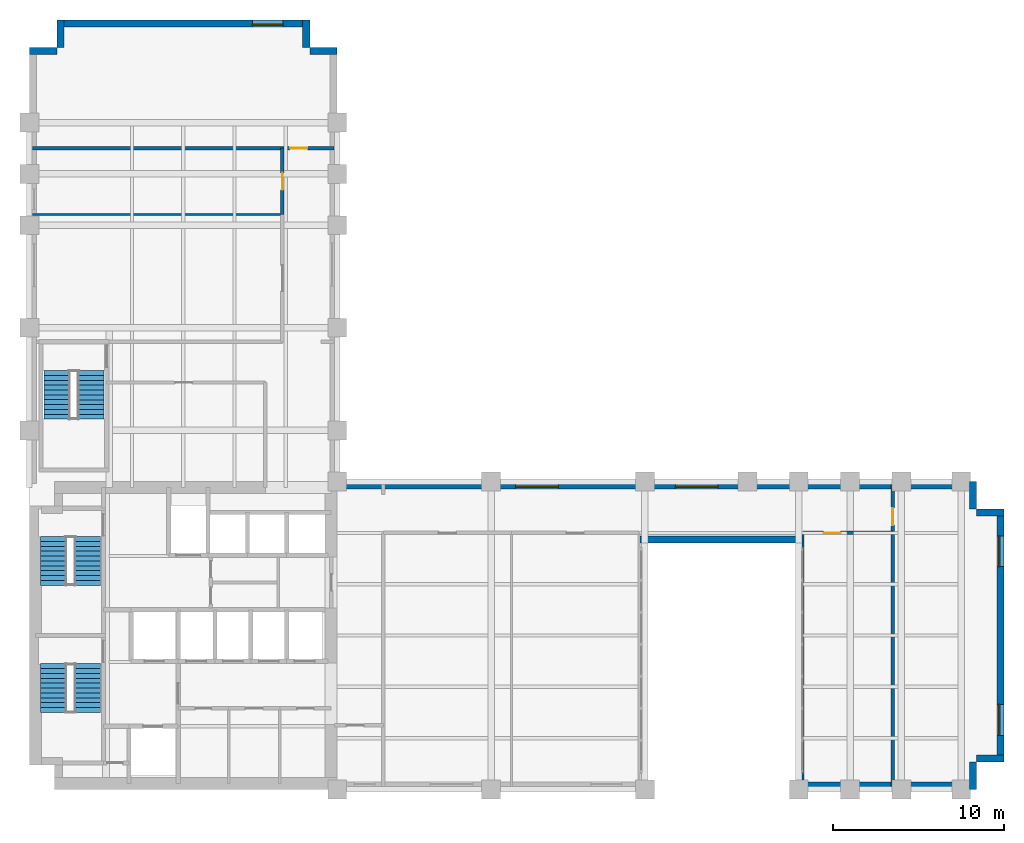
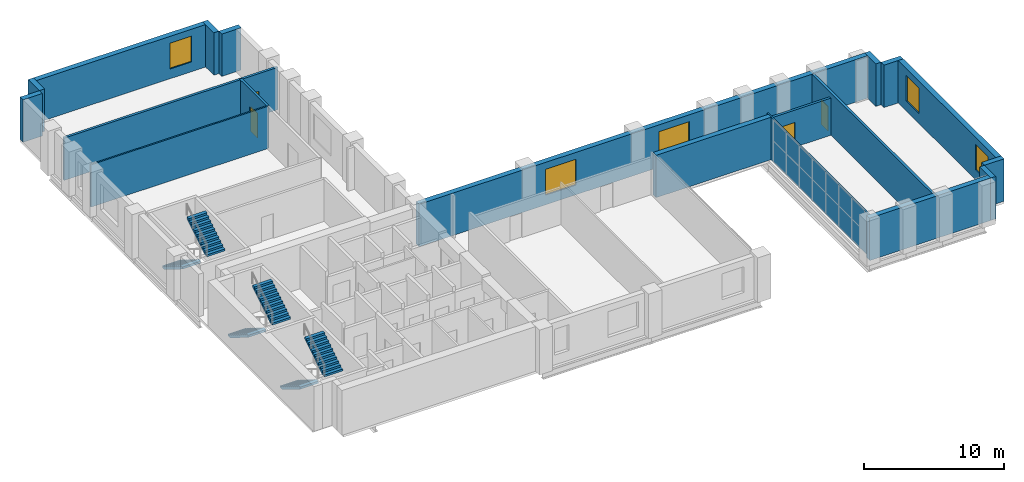
# One storey, part 9 of 10: 19 walls, 6 stair flights, 5 windows, 4 doors, 9 openings, 3 elements without a shape of their own.
"""IFC4 building model written with IfcOpenShell, lengths in metres."""

from ifc_helpers import new_model, si_unit, direction, frame, frame_2d, origin, place, context, subcontext, project, spatial, polyline, rectangle, outline, extrude, material, layer, layer_set, type_object, element, fill, aggregate, save


model = new_model("IFC4")

# Units and contexts
model_context = context("Model", 3, precision=1e-05, world=origin(), true_north=direction((0.0, 1.0)))
body_context = subcontext(model_context, "Body", "Model", "MODEL_VIEW")
ifc_project = project(units=[si_unit("LENGTHUNIT", "METRE"), si_unit("AREAUNIT", "SQUARE_METRE"), si_unit("VOLUMEUNIT", "CUBIC_METRE"), si_unit("PLANEANGLEUNIT", "RADIAN"), si_unit("MASSUNIT", "GRAM", prefix="KILO")], contexts=[model_context])

# Site, building, storey
site_placement = place(None, origin())
site = spatial("IfcSite", under=ifc_project, at=site_placement, CompositionType="ELEMENT")
building_placement = place(site_placement, origin())
building = spatial("IfcBuilding", under=site, at=building_placement, Name="Mawjdan Bourse Tower", CompositionType="ELEMENT")
storey_placement = place(building_placement, frame((0.0, 0.0, 124.5)))
storey = spatial("IfcBuildingStorey", under=building, at=storey_placement, Name="L29", CompositionType="ELEMENT", Elevation=124.5)

# Walls
ifc_material_1 = material(Name="Brick Masonry Buff", Category="masonry")
ifc_layer_1 = layer(ifc_material_1, 0.419921875)
ifc_layer_set_1 = layer_set([ifc_layer_1], Name="Brick Masonry Buff")
wall_type_1 = type_object("IfcWallType", Name="WL-BRK-BUFF-420", PredefinedType="STANDARD", material=ifc_layer_set_1)
wall_1_placement = place(storey_placement, frame((41.699951171875, 17.610107421875, 0.0), z_axis=(0.0, 0.0, 1.0), x_axis=(1.0, 0.0, 0.0)))
element("IfcWall", 1, at=wall_1_placement, inside=storey, type_object=wall_type_1, Name="L29 Exterior Brick Wall 3", PredefinedType="STANDARD", context=body_context, shape_type="SweptSolid", body=[
    extrude(rectangle(XDim=9.5, YDim=0.419921875, at=frame_2d((4.75, 0.0))), origin(), (0.0, 0.0, 1.0), 3.699951171875),
])
wall_2_placement = place(storey_placement, frame((51.0, 3.2099609375, 0.0), z_axis=(0.0, 0.0, 1.0), x_axis=(1.0, 0.0, 0.0)))
element("IfcWall", 2, at=wall_2_placement, inside=storey, type_object=wall_type_1, Name="L29 Exterior Brick Wall 5", PredefinedType="STANDARD", context=body_context, shape_type="SweptSolid", body=[
    extrude(rectangle(XDim=10.39990234375, YDim=0.419921875, at=frame_2d((5.199951171875, 0.0))), origin(), (0.0, 0.0, 1.0), 3.699951171875),
])
for number, where, z_axis, x_axis, name in (
    (3, (61.18994140625, 3.0, 0.0), (0.0, 0.0, 1.0), (0.0, 1.0, 0.0), "L29 Exterior Brick Wall 6"),
    (4, (61.39990234375, 4.81005859375, 0.0), (0.0, 0.0, 1.0), (1.0, 0.0, 0.0), "L29 Exterior Brick Wall 7"),
):
    element("IfcWall", number, at=place(storey_placement, frame(where, z_axis=z_axis, x_axis=x_axis)), inside=storey, type_object=wall_type_1, Name=name, PredefinedType="STANDARD", context=body_context, shape_type="SweptSolid", body=[
        extrude(rectangle(XDim=1.60009765625, YDim=0.419921875, at=frame_2d((0.800048828125, 0.0))), origin(), (0.0, 0.0, 1.0), 3.699951171875),
    ])

# Wall, openings, windows
wall_3_placement = place(storey_placement, frame((62.7900390625, 4.60009765625, 0.0), z_axis=(0.0, 0.0, 1.0), x_axis=(0.0, 1.0, 0.0)))
wall_3 = element("IfcWall", 5, at=wall_3_placement, inside=storey, type_object=wall_type_1, Name="L29 Exterior Brick Wall 8", PredefinedType="STANDARD", context=body_context, shape_type="SweptSolid", body=[
    extrude(rectangle(XDim=14.7998046875, YDim=0.419921875, at=frame_2d((7.39990234375, 0.0))), origin(), (0.0, 0.0, 1.0), 3.699951171875),
])
opening_1_placement = place(wall_3_placement, frame((1.566650390625, 0.0, 0.85009765625)))
opening_1 = element("IfcOpeningElement", 6, at=opening_1_placement, cuts=wall_3, Name="Opening W-L29-03", PredefinedType="OPENING", context=body_context, shape_type="SweptSolid", body=[
    extrude(rectangle(XDim=1.800048828125, YDim=2.25, at=frame_2d((0.89990234375, 1.125))), frame((0.0, 0.219970703125, 0.0), z_axis=(0.0, -1.0, 0.0), x_axis=(1.0, 0.0, 0.0)), (0.0, 0.0, 1.0), 0.43994140625),
])
opening_2_placement = place(wall_3_placement, frame((11.433349609375, 0.0, 0.85009765625)))
opening_2 = element("IfcOpeningElement", 7, at=opening_2_placement, cuts=wall_3, Name="Opening W-L29-04", PredefinedType="OPENING", context=body_context, shape_type="SweptSolid", body=[
    extrude(rectangle(XDim=1.800048828125, YDim=2.25, at=frame_2d((0.89990234375, 1.125))), frame((0.0, 0.219970703125, 0.0), z_axis=(0.0, -1.0, 0.0), x_axis=(1.0, 0.0, 0.0)), (0.0, 0.0, 1.0), 0.43994140625),
])
ifc_material_2 = material(Name="Solar-Control Clear Double Glazing", Category="glass")
window_type_1 = type_object("IfcWindowType", Name="WN-Z2-1800", PartitioningType="SINGLE_PANEL", PredefinedType="WINDOW", material=ifc_material_2)
window_1_placement = place(opening_1_placement, origin())
window_1 = element("IfcWindow", 8, at=window_1_placement, inside=storey, type_object=window_type_1, Name="L29 Deep-Set Masonry Window W-L29-03", OverallHeight=2.25, OverallWidth=1.800048828125, PartitioningType="SINGLE_PANEL", PredefinedType="WINDOW", context=body_context, shape_type="SweptSolid", body=[
    extrude(rectangle(XDim=1.800048828125, YDim=2.25, at=frame_2d((0.89990234375, 1.125))), frame((0.0, 0.110107421875, 0.0), z_axis=(0.0, -1.0, 0.0), x_axis=(1.0, 0.0, 0.0)), (0.0, 0.0, 1.0), 0.06005859375),
])
fill(opening_1, window_1)
window_2_placement = place(opening_2_placement, origin())
window_2 = element("IfcWindow", 9, at=window_2_placement, inside=storey, type_object=window_type_1, Name="L29 Deep-Set Masonry Window W-L29-04", OverallHeight=2.25, OverallWidth=1.800048828125, PartitioningType="SINGLE_PANEL", PredefinedType="WINDOW", context=body_context, shape_type="SweptSolid", body=[
    extrude(rectangle(XDim=1.800048828125, YDim=2.25, at=frame_2d((0.89990234375, 1.125))), frame((0.0, 0.110107421875, 0.0), z_axis=(0.0, -1.0, 0.0), x_axis=(1.0, 0.0, 0.0)), (0.0, 0.0, 1.0), 0.06005859375),
])
fill(opening_2, window_2)

# Walls
for number, where, z_axis, x_axis, name in (
    (10, (63.0, 19.18994140625, 0.0), (0.0, 0.0, 1.0), (-1.0, 0.0, 0.0), "L29 Exterior Brick Wall 9"),
    (11, (61.18994140625, 19.39990234375, 0.0), (0.0, 0.0, 1.0), (0.0, 1.0, 0.0), "L29 Exterior Brick Wall 10"),
):
    element("IfcWall", number, at=place(storey_placement, frame(where, z_axis=z_axis, x_axis=x_axis)), inside=storey, type_object=wall_type_1, Name=name, PredefinedType="STANDARD", context=body_context, shape_type="SweptSolid", body=[
        extrude(rectangle(XDim=1.60009765625, YDim=0.419921875, at=frame_2d((0.800048828125, 0.0))), origin(), (0.0, 0.0, 1.0), 3.699951171875),
    ])

# Wall, openings, windows
wall_4_placement = place(storey_placement, frame((61.39990234375, 20.7900390625, 0.0), z_axis=(0.0, 0.0, 1.0), x_axis=(-1.0, 0.0, 0.0)))
wall_4 = element("IfcWall", 12, at=wall_4_placement, inside=storey, type_object=wall_type_1, Name="L29 Exterior Brick Wall 11", PredefinedType="STANDARD", context=body_context, shape_type="SweptSolid", body=[
    extrude(rectangle(XDim=37.39990234375, YDim=0.419921875, at=frame_2d((18.699951171875, 0.0))), origin(), (0.0, 0.0, 1.0), 3.699951171875),
])
opening_3_placement = place(wall_4_placement, frame((15.112548828125, 0.0, 0.85009765625)))
opening_3 = element("IfcOpeningElement", 13, at=opening_3_placement, cuts=wall_4, Name="Opening W-L29-05", PredefinedType="OPENING", context=body_context, shape_type="SweptSolid", body=[
    extrude(rectangle(XDim=2.5, YDim=2.25, at=frame_2d((1.25, 1.125))), frame((0.0, 0.219970703125, 0.0), z_axis=(0.0, -1.0, 0.0), x_axis=(1.0, 0.0, 0.0)), (0.0, 0.0, 1.0), 0.43994140625),
])
opening_4_placement = place(wall_4_placement, frame((24.46240234375, 0.0, 0.85009765625)))
opening_4 = element("IfcOpeningElement", 14, at=opening_4_placement, cuts=wall_4, Name="Opening W-L29-06", PredefinedType="OPENING", context=body_context, shape_type="SweptSolid", body=[
    extrude(rectangle(XDim=2.5, YDim=2.25, at=frame_2d((1.25, 1.125))), frame((0.0, 0.219970703125, 0.0), z_axis=(0.0, -1.0, 0.0), x_axis=(1.0, 0.0, 0.0)), (0.0, 0.0, 1.0), 0.43994140625),
])
window_type_2 = type_object("IfcWindowType", Name="WN-Z2-2500", PartitioningType="SINGLE_PANEL", PredefinedType="WINDOW", material=ifc_material_2)
window_3_placement = place(opening_3_placement, origin())
window_3 = element("IfcWindow", 15, at=window_3_placement, inside=storey, type_object=window_type_2, Name="L29 Deep-Set Masonry Window W-L29-05", OverallHeight=2.25, OverallWidth=2.5, PartitioningType="SINGLE_PANEL", PredefinedType="WINDOW", context=body_context, shape_type="SweptSolid", body=[
    extrude(rectangle(XDim=2.5, YDim=2.25, at=frame_2d((1.25, 1.125))), frame((0.0, 0.110107421875, 0.0), z_axis=(0.0, -1.0, 0.0), x_axis=(1.0, 0.0, 0.0)), (0.0, 0.0, 1.0), 0.06005859375),
])
fill(opening_3, window_3)
window_4_placement = place(opening_4_placement, origin())
window_4 = element("IfcWindow", 16, at=window_4_placement, inside=storey, type_object=window_type_2, Name="L29 Deep-Set Masonry Window W-L29-06", OverallHeight=2.25, OverallWidth=2.5, PartitioningType="SINGLE_PANEL", PredefinedType="WINDOW", context=body_context, shape_type="SweptSolid", body=[
    extrude(rectangle(XDim=2.5, YDim=2.25, at=frame_2d((1.25, 1.125))), frame((0.0, 0.110107421875, 0.0), z_axis=(0.0, -1.0, 0.0), x_axis=(1.0, 0.0, 0.0)), (0.0, 0.0, 1.0), 0.06005859375),
])
fill(opening_4, window_4)

# Walls
for number, where, z_axis, x_axis, name in (
    (17, (24.0, 46.18994140625, 0.0), (0.0, 0.0, 1.0), (-1.0, 0.0, 0.0), "L29 Exterior Brick Wall 13"),
    (18, (22.18994140625, 46.39990234375, 0.0), (0.0, 0.0, 1.0), (0.0, 1.0, 0.0), "L29 Exterior Brick Wall 14"),
):
    element("IfcWall", number, at=place(storey_placement, frame(where, z_axis=z_axis, x_axis=x_axis)), inside=storey, type_object=wall_type_1, Name=name, PredefinedType="STANDARD", context=body_context, shape_type="SweptSolid", body=[
        extrude(rectangle(XDim=1.60009765625, YDim=0.419921875, at=frame_2d((0.800048828125, 0.0))), origin(), (0.0, 0.0, 1.0), 3.699951171875),
    ])

# Wall, opening, window
wall_5_placement = place(storey_placement, frame((22.39990234375, 47.7900390625, 0.0), z_axis=(0.0, 0.0, 1.0), x_axis=(-1.0, 0.0, 0.0)))
wall_5 = element("IfcWall", 19, at=wall_5_placement, inside=storey, type_object=wall_type_1, Name="L29 Exterior Brick Wall 15", PredefinedType="STANDARD", context=body_context, shape_type="SweptSolid", body=[
    extrude(rectangle(XDim=14.7998046875, YDim=0.419921875, at=frame_2d((7.39990234375, 0.0))), origin(), (0.0, 0.0, 1.0), 3.699951171875),
])
opening_5_placement = place(wall_5_placement, frame((1.566650390625, 0.0, 0.85009765625)))
opening_5 = element("IfcOpeningElement", 20, at=opening_5_placement, cuts=wall_5, Name="Opening W-L29-08", PredefinedType="OPENING", context=body_context, shape_type="SweptSolid", body=[
    extrude(rectangle(XDim=1.800048828125, YDim=2.25, at=frame_2d((0.89990234375, 1.125))), frame((0.0, 0.219970703125, 0.0), z_axis=(0.0, -1.0, 0.0), x_axis=(1.0, 0.0, 0.0)), (0.0, 0.0, 1.0), 0.43994140625),
])
window_5_placement = place(opening_5_placement, origin())
window_5 = element("IfcWindow", 21, at=window_5_placement, inside=storey, type_object=window_type_1, Name="L29 Deep-Set Masonry Window W-L29-08", OverallHeight=2.25, OverallWidth=1.800048828125, PartitioningType="SINGLE_PANEL", PredefinedType="WINDOW", context=body_context, shape_type="SweptSolid", body=[
    extrude(rectangle(XDim=1.800048828125, YDim=2.25, at=frame_2d((0.89990234375, 1.125))), frame((0.0, 0.110107421875, 0.0), z_axis=(0.0, -1.0, 0.0), x_axis=(1.0, 0.0, 0.0)), (0.0, 0.0, 1.0), 0.06005859375),
])
fill(opening_5, window_5)

# Walls
for number, where, z_axis, x_axis, name in (
    (22, (7.81005859375, 48.0, 0.0), (0.0, 0.0, 1.0), (0.0, -1.0, 0.0), "L29 Exterior Brick Wall 16"),
    (23, (7.60009765625, 46.18994140625, 0.0), (0.0, 0.0, 1.0), (-1.0, 0.0, 0.0), "L29 Exterior Brick Wall 17"),
):
    element("IfcWall", number, at=place(storey_placement, frame(where, z_axis=z_axis, x_axis=x_axis)), inside=storey, type_object=wall_type_1, Name=name, PredefinedType="STANDARD", context=body_context, shape_type="SweptSolid", body=[
        extrude(rectangle(XDim=1.60009765625, YDim=0.419921875, at=frame_2d((0.800048828125, 0.0))), origin(), (0.0, 0.0, 1.0), 3.699951171875),
    ])

# Wall, opening, door
ifc_material_3 = material(Name="Gypsum Fireboard Assembly")
ifc_layer_2 = layer(ifc_material_3, 0.199951171875)
ifc_layer_set_2 = layer_set([ifc_layer_2], Name="Gypsum Fireboard Assembly")
wall_type_2 = type_object("IfcWallType", Name="WL-CMP-200", PredefinedType="PARTITIONING", material=ifc_layer_set_2)
wall_6_placement = place(storey_placement, frame((51.25, 18.0, 0.0), z_axis=(0.0, 0.0, 1.0), x_axis=(1.0, 0.0, 0.0)))
wall_6 = element("IfcWall", 24, at=wall_6_placement, inside=storey, type_object=wall_type_2, Name="L29 East Portal Outer Corridor Wall", PredefinedType="PARTITIONING", context=body_context, shape_type="SweptSolid", body=[
    extrude(rectangle(XDim=5.25, YDim=0.199951171875, at=frame_2d((2.625, 0.0))), origin(), (0.0, 0.0, 1.0), 3.23291015625),
])
opening_6_placement = place(wall_6_placement, frame((1.199951171875, 0.0, 0.0)))
opening_6 = element("IfcOpeningElement", 25, at=opening_6_placement, cuts=wall_6, Name="Opening D-L29-24", PredefinedType="OPENING", context=body_context, shape_type="SweptSolid", body=[
    extrude(rectangle(XDim=1.0, YDim=2.14990234375, at=frame_2d((0.5, 1.074951171875))), frame((0.0, 0.10986328125, 0.0), z_axis=(0.0, -1.0, 0.0), x_axis=(1.0, 0.0, 0.0)), (0.0, 0.0, 1.0), 0.219970703125),
])
ifc_material_4 = material(Name="Hardwood Acoustic Leaf", Category="wood")
door_type = type_object("IfcDoorType", Name="DR-OFC-1000", OperationType="NOTDEFINED", PredefinedType="DOOR", material=ifc_material_4)
door_1_placement = place(opening_6_placement, origin())
door_1 = element("IfcDoor", 26, at=door_1_placement, inside=storey, type_object=door_type, Name="L29 East Portal Outer Suite Door D-L29-24", OperationType="SINGLE_SWING_RIGHT", OverallHeight=2.14990234375, OverallWidth=1.0, PredefinedType="DOOR", context=body_context, shape_type="SweptSolid", body=[
    extrude(rectangle(XDim=1.0, YDim=2.14990234375, at=frame_2d((0.5, 1.074951171875))), frame((0.0, 0.02490234375, 0.0), z_axis=(0.0, -1.0, 0.0), x_axis=(1.0, 0.0, 0.0)), (0.0, 0.0, 1.0), 0.050048828125),
])
fill(opening_6, door_1)

wall_7_placement = place(storey_placement, frame((56.5, 3.179931640625, 0.0), z_axis=(0.0, 0.0, 1.0), x_axis=(0.0, 1.0, 0.0)))
wall_7 = element("IfcWall", 27, at=wall_7_placement, inside=storey, type_object=wall_type_2, Name="L29 East Tip Full Cross Wall", PredefinedType="PARTITIONING", context=body_context, shape_type="SweptSolid", body=[
    extrude(rectangle(XDim=17.64013671875, YDim=0.199951171875, at=frame_2d((8.820068359375, 0.0))), origin(), (0.0, 0.0, 1.0), 3.68994140625),
])
opening_7_placement = place(wall_7_placement, frame((15.27490234375, 0.0, 0.0)))
opening_7 = element("IfcOpeningElement", 28, at=opening_7_placement, cuts=wall_7, Name="Opening D-L29-25", PredefinedType="OPENING", context=body_context, shape_type="SweptSolid", body=[
    extrude(rectangle(XDim=1.0, YDim=2.14990234375, at=frame_2d((0.5, 1.074951171875))), frame((0.0, 0.10986328125, 0.0), z_axis=(0.0, -1.0, 0.0), x_axis=(1.0, 0.0, 0.0)), (0.0, 0.0, 1.0), 0.219970703125),
])
door_2_placement = place(opening_7_placement, origin())
door_2 = element("IfcDoor", 29, at=door_2_placement, inside=storey, type_object=door_type, Name="L29 East Tip Hall Door D-L29-25", OperationType="SINGLE_SWING_LEFT", OverallHeight=2.14990234375, OverallWidth=1.0, PredefinedType="DOOR", context=body_context, shape_type="SweptSolid", body=[
    extrude(rectangle(XDim=1.0, YDim=2.14990234375, at=frame_2d((0.5, 1.074951171875))), frame((0.0, 0.02490234375, 0.0), z_axis=(0.0, -1.0, 0.0), x_axis=(1.0, 0.0, 0.0)), (0.0, 0.0, 1.0), 0.050048828125),
])
fill(opening_7, door_2)

wall_8_placement = place(storey_placement, frame((20.800048828125, 36.6201171875, 0.0), z_axis=(0.0, 0.0, 1.0), x_axis=(0.0, 1.0, 0.0)))
wall_8 = element("IfcWall", 30, at=wall_8_placement, inside=storey, type_object=wall_type_2, Name="L29 Conference Room Corridor Wall", PredefinedType="PARTITIONING", context=body_context, shape_type="SweptSolid", body=[
    extrude(rectangle(XDim=3.8798828125, YDim=0.199951171875, at=frame_2d((1.93994140625, 0.0))), origin(), (0.0, 0.0, 1.0), 3.68994140625),
])
opening_8_placement = place(wall_8_placement, frame((1.43994140625, 0.0, 0.0)))
opening_8 = element("IfcOpeningElement", 31, at=opening_8_placement, cuts=wall_8, Name="Opening D-L29-28", PredefinedType="OPENING", context=body_context, shape_type="SweptSolid", body=[
    extrude(rectangle(XDim=1.0, YDim=2.14990234375, at=frame_2d((0.5, 1.074951171875))), frame((0.0, 0.10986328125, 0.0), z_axis=(0.0, -1.0, 0.0), x_axis=(1.0, 0.0, 0.0)), (0.0, 0.0, 1.0), 0.219970703125),
])
door_3_placement = place(opening_8_placement, origin())
door_3 = element("IfcDoor", 32, at=door_3_placement, inside=storey, type_object=door_type, Name="L29 Conference Room Door D-L29-28", OperationType="SINGLE_SWING_LEFT", OverallHeight=2.14990234375, OverallWidth=1.0, PredefinedType="DOOR", context=body_context, shape_type="SweptSolid", body=[
    extrude(rectangle(XDim=1.0, YDim=2.14990234375, at=frame_2d((0.5, 1.074951171875))), frame((0.0, 0.02490234375, 0.0), z_axis=(0.0, -1.0, 0.0), x_axis=(1.0, 0.0, 0.0)), (0.0, 0.0, 1.0), 0.050048828125),
])
fill(opening_8, door_3)

wall_9_placement = place(storey_placement, frame((6.179931640625, 40.5, 0.0), z_axis=(0.0, 0.0, 1.0), x_axis=(1.0, 0.0, 0.0)))
wall_9 = element("IfcWall", 33, at=wall_9_placement, inside=storey, type_object=wall_type_2, Name="L29 North Tip Full Cross Wall", PredefinedType="PARTITIONING", context=body_context, shape_type="SweptSolid", body=[
    extrude(rectangle(XDim=17.64013671875, YDim=0.199951171875, at=frame_2d((8.820068359375, 0.0))), origin(), (0.0, 0.0, 1.0), 3.68994140625),
])
opening_9_placement = place(wall_9_placement, frame((15.074951171875, 0.0, 0.0)))
opening_9 = element("IfcOpeningElement", 34, at=opening_9_placement, cuts=wall_9, Name="Opening D-L29-29", PredefinedType="OPENING", context=body_context, shape_type="SweptSolid", body=[
    extrude(rectangle(XDim=1.0, YDim=2.14990234375, at=frame_2d((0.5, 1.074951171875))), frame((0.0, 0.10986328125, 0.0), z_axis=(0.0, -1.0, 0.0), x_axis=(1.0, 0.0, 0.0)), (0.0, 0.0, 1.0), 0.219970703125),
])
door_4_placement = place(opening_9_placement, origin())
door_4 = element("IfcDoor", 35, at=door_4_placement, inside=storey, type_object=door_type, Name="L29 North Tip Suite Door D-L29-29", OperationType="SINGLE_SWING_RIGHT", OverallHeight=2.14990234375, OverallWidth=1.0, PredefinedType="DOOR", context=body_context, shape_type="SweptSolid", body=[
    extrude(rectangle(XDim=1.0, YDim=2.14990234375, at=frame_2d((0.5, 1.074951171875))), frame((0.0, 0.02490234375, 0.0), z_axis=(0.0, -1.0, 0.0), x_axis=(1.0, 0.0, 0.0)), (0.0, 0.0, 1.0), 0.050048828125),
])
fill(opening_9, door_4)

# Walls
ifc_material_5 = material(Name="Gypsum Partition")
ifc_layer_3 = layer(ifc_material_5, 0.125)
ifc_layer_set_3 = layer_set([ifc_layer_3], Name="Gypsum Partition")
wall_type_3 = type_object("IfcWallType", Name="WL-PRT-125", PredefinedType="PARTITIONING", material=ifc_layer_set_3)
wall_10_placement = place(storey_placement, frame((51.25, 3.179931640625, 0.0), z_axis=(0.0, 0.0, 1.0), x_axis=(0.0, 1.0, 0.0)))
element("IfcWall", 36, at=wall_10_placement, inside=storey, type_object=wall_type_3, Name="L29 East Portal East Cheek Wall", PredefinedType="PARTITIONING", context=body_context, shape_type="SweptSolid", body=[
    extrude(rectangle(XDim=14.820068359375, YDim=0.125, at=frame_2d((7.41015625, 0.0))), origin(), (0.0, 0.0, 1.0), 3.68994140625),
])
wall_11_placement = place(storey_placement, frame((6.179931640625, 36.6201171875, 0.0), z_axis=(0.0, 0.0, 1.0), x_axis=(1.0, 0.0, 0.0)))
element("IfcWall", 37, at=wall_11_placement, inside=storey, type_object=wall_type_3, Name="L29 Conference Room Partition", PredefinedType="PARTITIONING", context=body_context, shape_type="SweptSolid", body=[
    extrude(rectangle(XDim=14.6201171875, YDim=0.125, at=frame_2d((7.31005859375, 0.0))), origin(), (0.0, 0.0, 1.0), 3.68994140625),
])

# Stair, stair flights
ifc_material_6 = material(Name="Concrete C50/60", Category="concrete")
stair_type = type_object("IfcStairType", Name="STR-CORE-1500", PredefinedType="HALF_TURN_STAIR", material=ifc_material_6)
stair_1_placement = place(storey_placement, origin())
stair_1 = element("IfcStair", 38, at=stair_1_placement, inside=storey, type_object=stair_type, Name="L29 Exit Stair 1 (Core South-West)", PredefinedType="HALF_TURN_STAIR")
stair_flight_type = type_object("IfcStairFlightType", Name="SFL-RC-1500", PredefinedType="STRAIGHT", material=ifc_material_6)
stair_flight_1_placement = place(storey_placement, frame((7.389892578125, 10.35009765625, 0.0), z_axis=(0.0, 0.0, 1.0), x_axis=(0.0, -1.0, 0.0)))
stair_flight_1 = element("IfcStairFlight", 39, at=stair_flight_1_placement, type_object=stair_flight_type, Name="ST1-L29 flight 1", NumberOfRisers=11, NumberOfTreads=10, PredefinedType="STRAIGHT", RiserHeight=0.177273, TreadLength=0.285, context=body_context, shape_type="SweptSolid", body=[
    extrude(outline(polyline([(0.0, 0.0), (0.0, 0.17724609375), (0.284912109375, 0.17724609375), (0.284912109375, 0.3544921875), (0.570068359375, 0.3544921875), (0.570068359375, 0.53173828125), (0.85498046875, 0.53173828125), (0.85498046875, 0.708984375), (1.139892578125, 0.708984375), (1.139892578125, 0.886474609375), (1.425048828125, 0.886474609375), (1.425048828125, 1.063720703125), (1.7099609375, 1.063720703125), (1.7099609375, 1.240966796875), (1.9951171875, 1.240966796875), (1.9951171875, 1.418212890625), (2.280029296875, 1.418212890625), (2.280029296875, 1.595458984375), (2.56494140625, 1.595458984375), (2.56494140625, 1.772705078125), (2.85009765625, 1.772705078125), (2.85009765625, 1.949951171875), (2.85009765625, 1.58447265625), (0.302734375, 0.0), (0.0, 0.0)])), frame((0.0, 0.75, 0.0), z_axis=(0.0, -1.0, 0.0), x_axis=(1.0, 0.0, 0.0)), (0.0, 0.0, 1.0), 1.5),
])
stair_flight_2_placement = place(storey_placement, frame((9.409912109375, 7.5, 1.949951171875), z_axis=(0.0, 0.0, 1.0), x_axis=(0.0, 1.0, 0.0)))
stair_flight_2 = element("IfcStairFlight", 40, at=stair_flight_2_placement, type_object=stair_flight_type, Name="ST1-L29 flight 2", NumberOfRisers=11, NumberOfTreads=10, PredefinedType="STRAIGHT", RiserHeight=0.177273, TreadLength=0.285, context=body_context, shape_type="SweptSolid", body=[
    extrude(outline(polyline([(0.0, 0.0), (0.0, 0.17724609375), (0.284912109375, 0.17724609375), (0.284912109375, 0.3544921875), (0.570068359375, 0.3544921875), (0.570068359375, 0.53173828125), (0.85498046875, 0.53173828125), (0.85498046875, 0.708984375), (1.139892578125, 0.708984375), (1.139892578125, 0.886474609375), (1.425048828125, 0.886474609375), (1.425048828125, 1.063720703125), (1.7099609375, 1.063720703125), (1.7099609375, 1.240966796875), (1.9951171875, 1.240966796875), (1.9951171875, 1.418212890625), (2.280029296875, 1.418212890625), (2.280029296875, 1.595458984375), (2.56494140625, 1.595458984375), (2.56494140625, 1.772705078125), (2.85009765625, 1.772705078125), (2.85009765625, 1.949951171875), (2.85009765625, 1.58447265625), (0.302734375, 0.0), (0.0, 0.0)])), frame((0.0, 0.75, 0.0), z_axis=(0.0, -1.0, 0.0), x_axis=(1.0, 0.0, 0.0)), (0.0, 0.0, 1.0), 1.5),
])
aggregate(stair_1, [stair_flight_1, stair_flight_2])

stair_2_placement = place(storey_placement, origin())
stair_2 = element("IfcStair", 41, at=stair_2_placement, inside=storey, type_object=stair_type, Name="L29 Exit Stair 2 (Core North-West)", PredefinedType="HALF_TURN_STAIR")
stair_flight_3_placement = place(storey_placement, frame((7.389892578125, 17.7900390625, 0.0), z_axis=(0.0, 0.0, 1.0), x_axis=(0.0, -1.0, 0.0)))
stair_flight_3 = element("IfcStairFlight", 42, at=stair_flight_3_placement, type_object=stair_flight_type, Name="ST2-L29 flight 1", NumberOfRisers=11, NumberOfTreads=10, PredefinedType="STRAIGHT", RiserHeight=0.177273, TreadLength=0.285, context=body_context, shape_type="SweptSolid", body=[
    extrude(outline(polyline([(0.0, 0.0), (0.0, 0.17724609375), (0.284912109375, 0.17724609375), (0.284912109375, 0.3544921875), (0.570068359375, 0.3544921875), (0.570068359375, 0.53173828125), (0.85498046875, 0.53173828125), (0.85498046875, 0.708984375), (1.139892578125, 0.708984375), (1.139892578125, 0.886474609375), (1.425048828125, 0.886474609375), (1.425048828125, 1.063720703125), (1.7099609375, 1.063720703125), (1.7099609375, 1.240966796875), (1.9951171875, 1.240966796875), (1.9951171875, 1.418212890625), (2.280029296875, 1.418212890625), (2.280029296875, 1.595458984375), (2.56494140625, 1.595458984375), (2.56494140625, 1.772705078125), (2.85009765625, 1.772705078125), (2.85009765625, 1.949951171875), (2.85009765625, 1.58447265625), (0.302734375, 0.0), (0.0, 0.0)])), frame((0.0, 0.75, 0.0), z_axis=(0.0, -1.0, 0.0), x_axis=(1.0, 0.0, 0.0)), (0.0, 0.0, 1.0), 1.5),
])
stair_flight_4_placement = place(storey_placement, frame((9.409912109375, 14.93994140625, 1.949951171875), z_axis=(0.0, 0.0, 1.0), x_axis=(0.0, 1.0, 0.0)))
stair_flight_4 = element("IfcStairFlight", 43, at=stair_flight_4_placement, type_object=stair_flight_type, Name="ST2-L29 flight 2", NumberOfRisers=11, NumberOfTreads=10, PredefinedType="STRAIGHT", RiserHeight=0.177273, TreadLength=0.285, context=body_context, shape_type="SweptSolid", body=[
    extrude(outline(polyline([(0.0, 0.0), (0.0, 0.17724609375), (0.284912109375, 0.17724609375), (0.284912109375, 0.3544921875), (0.570068359375, 0.3544921875), (0.570068359375, 0.53173828125), (0.85498046875, 0.53173828125), (0.85498046875, 0.708984375), (1.139892578125, 0.708984375), (1.139892578125, 0.886474609375), (1.425048828125, 0.886474609375), (1.425048828125, 1.063720703125), (1.7099609375, 1.063720703125), (1.7099609375, 1.240966796875), (1.9951171875, 1.240966796875), (1.9951171875, 1.418212890625), (2.280029296875, 1.418212890625), (2.280029296875, 1.595458984375), (2.56494140625, 1.595458984375), (2.56494140625, 1.772705078125), (2.85009765625, 1.772705078125), (2.85009765625, 1.949951171875), (2.85009765625, 1.58447265625), (0.302734375, 0.0), (0.0, 0.0)])), frame((0.0, 0.75, 0.0), z_axis=(0.0, -1.0, 0.0), x_axis=(1.0, 0.0, 0.0)), (0.0, 0.0, 1.0), 1.5),
])
aggregate(stair_2, [stair_flight_3, stair_flight_4])

stair_3_placement = place(storey_placement, origin())
stair_3 = element("IfcStair", 44, at=stair_3_placement, inside=storey, type_object=stair_type, Name="L29 Exit Stair 3 (North Wing)", PredefinedType="HALF_TURN_STAIR")
stair_flight_5_placement = place(storey_placement, frame((7.590087890625, 27.5, 0.0), z_axis=(0.0, 0.0, 1.0), x_axis=(0.0, -1.0, 0.0)))
stair_flight_5 = element("IfcStairFlight", 45, at=stair_flight_5_placement, type_object=stair_flight_type, Name="ST3-L29 flight 1", NumberOfRisers=11, NumberOfTreads=10, PredefinedType="STRAIGHT", RiserHeight=0.177273, TreadLength=0.285, context=body_context, shape_type="SweptSolid", body=[
    extrude(outline(polyline([(0.0, 0.0), (0.0, 0.17724609375), (0.284912109375, 0.17724609375), (0.284912109375, 0.3544921875), (0.570068359375, 0.3544921875), (0.570068359375, 0.53173828125), (0.85498046875, 0.53173828125), (0.85498046875, 0.708984375), (1.139892578125, 0.708984375), (1.139892578125, 0.886474609375), (1.425048828125, 0.886474609375), (1.425048828125, 1.063720703125), (1.7099609375, 1.063720703125), (1.7099609375, 1.240966796875), (1.9951171875, 1.240966796875), (1.9951171875, 1.418212890625), (2.280029296875, 1.418212890625), (2.280029296875, 1.595458984375), (2.56494140625, 1.595458984375), (2.56494140625, 1.772705078125), (2.85009765625, 1.772705078125), (2.85009765625, 1.949951171875), (2.85009765625, 1.58447265625), (0.302734375, 0.0), (0.0, 0.0)])), frame((0.0, 0.75, 0.0), z_axis=(0.0, -1.0, 0.0), x_axis=(1.0, 0.0, 0.0)), (0.0, 0.0, 1.0), 1.5),
])
stair_flight_6_placement = place(storey_placement, frame((9.610107421875, 24.64990234375, 1.949951171875), z_axis=(0.0, 0.0, 1.0), x_axis=(0.0, 1.0, 0.0)))
stair_flight_6 = element("IfcStairFlight", 46, at=stair_flight_6_placement, type_object=stair_flight_type, Name="ST3-L29 flight 2", NumberOfRisers=11, NumberOfTreads=10, PredefinedType="STRAIGHT", RiserHeight=0.177273, TreadLength=0.285, context=body_context, shape_type="SweptSolid", body=[
    extrude(outline(polyline([(0.0, 0.0), (0.0, 0.17724609375), (0.284912109375, 0.17724609375), (0.284912109375, 0.3544921875), (0.570068359375, 0.3544921875), (0.570068359375, 0.53173828125), (0.85498046875, 0.53173828125), (0.85498046875, 0.708984375), (1.139892578125, 0.708984375), (1.139892578125, 0.886474609375), (1.425048828125, 0.886474609375), (1.425048828125, 1.063720703125), (1.7099609375, 1.063720703125), (1.7099609375, 1.240966796875), (1.9951171875, 1.240966796875), (1.9951171875, 1.418212890625), (2.280029296875, 1.418212890625), (2.280029296875, 1.595458984375), (2.56494140625, 1.595458984375), (2.56494140625, 1.772705078125), (2.85009765625, 1.772705078125), (2.85009765625, 1.949951171875), (2.85009765625, 1.58447265625), (0.302734375, 0.0), (0.0, 0.0)])), frame((0.0, 0.75, 0.0), z_axis=(0.0, -1.0, 0.0), x_axis=(1.0, 0.0, 0.0)), (0.0, 0.0, 1.0), 1.5),
])
aggregate(stair_3, [stair_flight_5, stair_flight_6])

save(model, "model.ifc")
